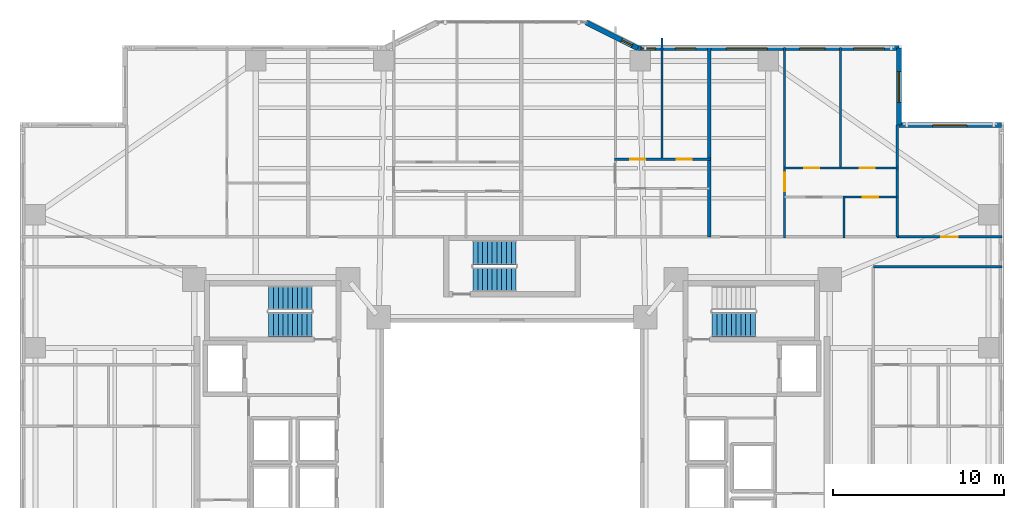
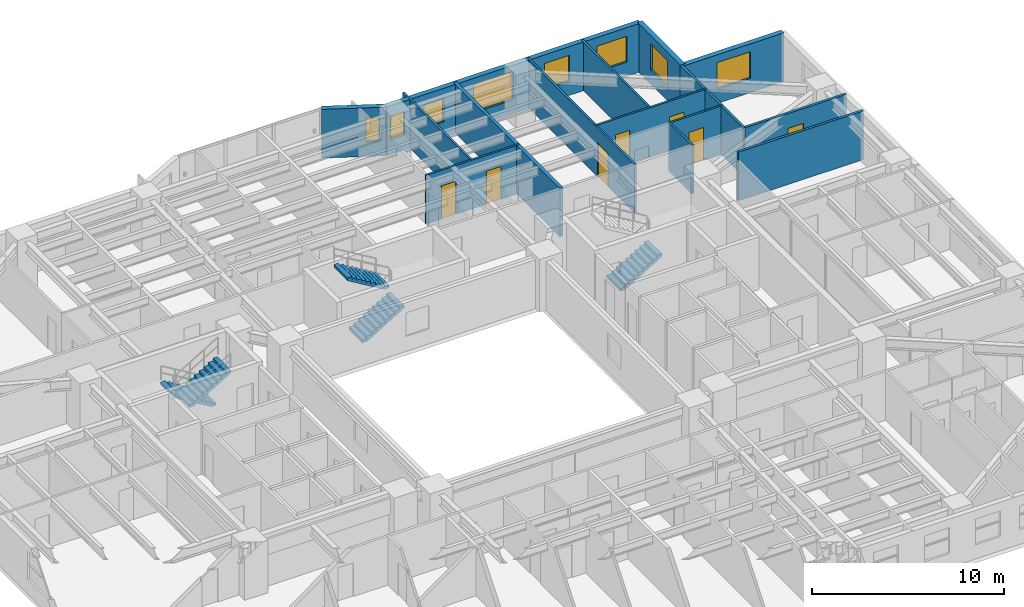
# One storey, part 16 of 22: 15 walls, 8 windows, 7 doors, 5 stair flights, 15 openings, 3 elements without a shape of their own.
"""IFC4 building model written with IfcOpenShell, lengths in metres."""

from ifc_helpers import new_model, si_unit, direction, frame, frame_2d, origin, place, context, subcontext, project, spatial, polyline, rectangle, outline, extrude, material, layer, layer_set, type_object, element, fill, aggregate, save


model = new_model("IFC4")

# Units and contexts
model_context = context("Model", 3, precision=1e-05, world=origin(), true_north=direction((0.0, 1.0)))
body_context = subcontext(model_context, "Body", "Model", "MODEL_VIEW")
ifc_project = project(units=[si_unit("LENGTHUNIT", "METRE"), si_unit("AREAUNIT", "SQUARE_METRE"), si_unit("VOLUMEUNIT", "CUBIC_METRE"), si_unit("PLANEANGLEUNIT", "RADIAN"), si_unit("MASSUNIT", "GRAM", prefix="KILO")], contexts=[model_context])

# Site, building, storey
site_placement = place(None, origin())
site = spatial("IfcSite", under=ifc_project, at=site_placement, CompositionType="ELEMENT")
building_placement = place(site_placement, origin())
building = spatial("IfcBuilding", under=site, at=building_placement, Name="Tarnavaz Court Tower", CompositionType="ELEMENT")
storey_placement = place(building_placement, frame((0.0, 0.0, 57.5)))
storey = spatial("IfcBuildingStorey", under=building, at=storey_placement, Name="L15", CompositionType="ELEMENT", Elevation=57.5)

# Wall, opening, window
ifc_material_1 = material(Name="Precast Concrete C40/50", Category="concrete")
ifc_layer_1 = layer(ifc_material_1, 0.300048828125)
ifc_layer_set_1 = layer_set([ifc_layer_1], Name="Precast Concrete C40/50")
wall_type_1 = type_object("IfcWallType", Name="WL-EXT-300", PredefinedType="SOLIDWALL", material=ifc_layer_set_1)
wall_1_placement = place(storey_placement, frame((4.35009765625, 25.050048828125, 0.0), z_axis=(0.0, 0.0, 1.0), x_axis=(0.894427191, -0.4472135955, 0.0)))
wall_1 = element("IfcWall", 1, at=wall_1_placement, inside=storey, type_object=wall_type_1, Name="L15 Exterior Terracotta Facade Wall 08", PredefinedType="SOLIDWALL", context=body_context, shape_type="SweptSolid", body=[
    extrude(rectangle(XDim=3.35400390625, YDim=0.300048828125, at=frame_2d((1.677001953125, 0.0))), origin(), (0.0, 0.0, 1.0), 3.10009765625),
])
opening_1_placement = place(wall_1_placement, frame((2.308349609375, 0.0, 0.949951171875)))
opening_1 = element("IfcOpeningElement", 2, at=opening_1_placement, cuts=wall_1, Name="Opening W16", PredefinedType="OPENING", context=body_context, shape_type="SweptSolid", body=[
    extrude(rectangle(XDim=0.699951171875, YDim=1.5, at=frame_2d((0.35009765625, 0.75))), frame((0.0, 0.159912109375, 0.0), z_axis=(0.0, -1.0, 0.0), x_axis=(1.0, 0.0, 0.0)), (0.0, 0.0, 1.0), 0.320068359375),
])
ifc_material_2 = material(Name="Double-Glazed Solar Low-E Glass", Category="glass")
window_type_1 = type_object("IfcWindowType", Name="WN-APT-700", PartitioningType="SINGLE_PANEL", PredefinedType="WINDOW", material=ifc_material_2)
window_1_placement = place(opening_1_placement, origin())
window_1 = element("IfcWindow", 3, at=window_1_placement, inside=storey, type_object=window_type_1, Name="L15 Flat 03 Principal Bedroom Window", OverallHeight=1.5, OverallWidth=0.699951171875, PartitioningType="SINGLE_PANEL", PredefinedType="WINDOW", context=body_context, shape_type="SweptSolid", body=[
    extrude(rectangle(XDim=0.699951171875, YDim=1.5, at=frame_2d((0.35009765625, 0.75))), frame((0.0, 0.030029296875, 0.0), z_axis=(0.0, -1.0, 0.0), x_axis=(1.0, 0.0, 0.0)), (0.0, 0.0, 1.0), 0.06005859375),
])
fill(opening_1, window_1)

# Wall, openings, windows
wall_2_placement = place(storey_placement, frame((7.35009765625, 23.550048828125, 0.0), z_axis=(0.0, 0.0, 1.0), x_axis=(1.0, 0.0, 0.0)))
wall_2 = element("IfcWall", 4, at=wall_2_placement, inside=storey, type_object=wall_type_1, Name="L15 Exterior Terracotta Facade Wall 09", PredefinedType="SOLIDWALL", context=body_context, shape_type="SweptSolid", body=[
    extrude(rectangle(XDim=15.2998046875, YDim=0.300048828125, at=frame_2d((7.64990234375, 0.0))), origin(), (0.0, 0.0, 1.0), 3.10009765625),
])
opening_2_placement = place(wall_2_placement, frame((0.205078125, 0.0, 0.949951171875)))
opening_2 = element("IfcOpeningElement", 5, at=opening_2_placement, cuts=wall_2, Name="Opening W15", PredefinedType="OPENING", context=body_context, shape_type="SweptSolid", body=[
    extrude(rectangle(XDim=0.85009765625, YDim=1.5, at=frame_2d((0.425048828125, 0.75))), frame((0.0, 0.159912109375, 0.0), z_axis=(0.0, -1.0, 0.0), x_axis=(1.0, 0.0, 0.0)), (0.0, 0.0, 1.0), 0.320068359375),
])
opening_3_placement = place(wall_2_placement, frame((2.209228515625, 0.0, 0.949951171875)))
opening_3 = element("IfcOpeningElement", 6, at=opening_3_placement, cuts=wall_2, Name="Opening W05", PredefinedType="OPENING", context=body_context, shape_type="SweptSolid", body=[
    extrude(rectangle(XDim=1.199951171875, YDim=1.5, at=frame_2d((0.60009765625, 0.75))), frame((0.0, 0.159912109375, 0.0), z_axis=(0.0, -1.0, 0.0), x_axis=(1.0, 0.0, 0.0)), (0.0, 0.0, 1.0), 0.320068359375),
])
opening_4_placement = place(wall_2_placement, frame((5.19580078125, 0.0, 0.89990234375)))
opening_4 = element("IfcOpeningElement", 7, at=opening_4_placement, cuts=wall_2, Name="Opening W06", PredefinedType="OPENING", context=body_context, shape_type="SweptSolid", body=[
    extrude(rectangle(XDim=2.39990234375, YDim=1.800048828125, at=frame_2d((1.199951171875, 0.89990234375))), frame((0.0, 0.159912109375, 0.0), z_axis=(0.0, -1.0, 0.0), x_axis=(1.0, 0.0, 0.0)), (0.0, 0.0, 1.0), 0.320068359375),
])
opening_5_placement = place(wall_2_placement, frame((9.4833984375, 0.0, 0.89990234375)))
opening_5 = element("IfcOpeningElement", 8, at=opening_5_placement, cuts=wall_2, Name="Opening W03", PredefinedType="OPENING", context=body_context, shape_type="SweptSolid", body=[
    extrude(rectangle(XDim=1.5, YDim=1.64990234375, at=frame_2d((0.75, 0.824951171875))), frame((0.0, 0.159912109375, 0.0), z_axis=(0.0, -1.0, 0.0), x_axis=(1.0, 0.0, 0.0)), (0.0, 0.0, 1.0), 0.320068359375),
])
opening_6_placement = place(wall_2_placement, frame((12.644287109375, 0.0, 0.89990234375)))
opening_6 = element("IfcOpeningElement", 9, at=opening_6_placement, cuts=wall_2, Name="Opening W01", PredefinedType="OPENING", context=body_context, shape_type="SweptSolid", body=[
    extrude(rectangle(XDim=1.800048828125, YDim=1.64990234375, at=frame_2d((0.89990234375, 0.824951171875))), frame((0.0, 0.159912109375, 0.0), z_axis=(0.0, -1.0, 0.0), x_axis=(1.0, 0.0, 0.0)), (0.0, 0.0, 1.0), 0.320068359375),
])
window_type_2 = type_object("IfcWindowType", Name="WN-APT-1200", PartitioningType="SINGLE_PANEL", PredefinedType="WINDOW", material=ifc_material_2)
window_2_placement = place(opening_3_placement, origin())
window_2 = element("IfcWindow", 10, at=window_2_placement, inside=storey, type_object=window_type_2, Name="L15 Flat 03 Bedroom 2 Window", OverallHeight=1.5, OverallWidth=1.199951171875, PartitioningType="SINGLE_PANEL", PredefinedType="WINDOW", context=body_context, shape_type="SweptSolid", body=[
    extrude(rectangle(XDim=1.199951171875, YDim=1.5, at=frame_2d((0.60009765625, 0.75))), frame((0.0, 0.030029296875, 0.0), z_axis=(0.0, -1.0, 0.0), x_axis=(1.0, 0.0, 0.0)), (0.0, 0.0, 1.0), 0.06005859375),
])
fill(opening_3, window_2)
window_type_3 = type_object("IfcWindowType", Name="WN-APT-1500", PartitioningType="DOUBLE_PANEL_VERTICAL", PredefinedType="WINDOW", material=ifc_material_2)
window_3_placement = place(opening_5_placement, origin())
window_3 = element("IfcWindow", 11, at=window_3_placement, inside=storey, type_object=window_type_3, Name="L15 Flat 04 Principal Bedroom Window", OverallHeight=1.64990234375, OverallWidth=1.5, PartitioningType="SINGLE_PANEL", PredefinedType="WINDOW", context=body_context, shape_type="SweptSolid", body=[
    extrude(rectangle(XDim=1.5, YDim=1.64990234375, at=frame_2d((0.75, 0.824951171875))), frame((0.0, 0.030029296875, 0.0), z_axis=(0.0, -1.0, 0.0), x_axis=(1.0, 0.0, 0.0)), (0.0, 0.0, 1.0), 0.06005859375),
])
fill(opening_5, window_3)
window_type_4 = type_object("IfcWindowType", Name="WN-APT-1800", PartitioningType="DOUBLE_PANEL_VERTICAL", PredefinedType="WINDOW", material=ifc_material_2)
window_4_placement = place(opening_6_placement, origin())
window_4 = element("IfcWindow", 12, at=window_4_placement, inside=storey, type_object=window_type_4, Name="L15 Flat 04 Bedroom 2 Window", OverallHeight=1.64990234375, OverallWidth=1.800048828125, PartitioningType="SINGLE_PANEL", PredefinedType="WINDOW", context=body_context, shape_type="SweptSolid", body=[
    extrude(rectangle(XDim=1.800048828125, YDim=1.64990234375, at=frame_2d((0.89990234375, 0.824951171875))), frame((0.0, 0.030029296875, 0.0), z_axis=(0.0, -1.0, 0.0), x_axis=(1.0, 0.0, 0.0)), (0.0, 0.0, 1.0), 0.06005859375),
])
fill(opening_6, window_4)
window_type_5 = type_object("IfcWindowType", Name="WN-APT-2400", PartitioningType="TRIPLE_PANEL_VERTICAL", PredefinedType="WINDOW", material=ifc_material_2)
window_5_placement = place(opening_4_placement, origin())
window_5 = element("IfcWindow", 13, at=window_5_placement, inside=storey, type_object=window_type_5, Name="L15 Flat 04 Living and Dining Room Window", OverallHeight=1.800048828125, OverallWidth=2.39990234375, PartitioningType="SINGLE_PANEL", PredefinedType="WINDOW", context=body_context, shape_type="SweptSolid", body=[
    extrude(rectangle(XDim=2.39990234375, YDim=1.800048828125, at=frame_2d((1.199951171875, 0.89990234375))), frame((0.0, 0.030029296875, 0.0), z_axis=(0.0, -1.0, 0.0), x_axis=(1.0, 0.0, 0.0)), (0.0, 0.0, 1.0), 0.06005859375),
])
fill(opening_4, window_5)
window_type_6 = type_object("IfcWindowType", Name="WN-APT-850", PartitioningType="SINGLE_PANEL", PredefinedType="WINDOW", material=ifc_material_2)
window_6_placement = place(opening_2_placement, origin())
window_6 = element("IfcWindow", 14, at=window_6_placement, inside=storey, type_object=window_type_6, Name="L15 Flat 03 Principal Bedroom Window", OverallHeight=1.5, OverallWidth=0.85009765625, PartitioningType="SINGLE_PANEL", PredefinedType="WINDOW", context=body_context, shape_type="SweptSolid", body=[
    extrude(rectangle(XDim=0.85009765625, YDim=1.5, at=frame_2d((0.425048828125, 0.75))), frame((0.0, 0.030029296875, 0.0), z_axis=(0.0, -1.0, 0.0), x_axis=(1.0, 0.0, 0.0)), (0.0, 0.0, 1.0), 0.06005859375),
])
fill(opening_2, window_6)

# Wall, opening, window
wall_3_placement = place(storey_placement, frame((22.64990234375, 23.550048828125, 0.0), z_axis=(0.0, 0.0, 1.0), x_axis=(0.0, -1.0, 0.0)))
wall_3 = element("IfcWall", 15, at=wall_3_placement, inside=storey, type_object=wall_type_1, Name="L15 Exterior Terracotta Facade Wall 10", PredefinedType="SOLIDWALL", context=body_context, shape_type="SweptSolid", body=[
    extrude(rectangle(XDim=4.5, YDim=0.300048828125, at=frame_2d((2.25, 0.0))), origin(), (0.0, 0.0, 1.0), 3.10009765625),
])
opening_7_placement = place(wall_3_placement, frame((1.367431640625, 0.0, 0.89990234375)))
opening_7 = element("IfcOpeningElement", 16, at=opening_7_placement, cuts=wall_3, Name="Opening W01", PredefinedType="OPENING", context=body_context, shape_type="SweptSolid", body=[
    extrude(rectangle(XDim=1.800048828125, YDim=1.64990234375, at=frame_2d((0.89990234375, 0.824951171875))), frame((0.0, 0.159912109375, 0.0), z_axis=(0.0, -1.0, 0.0), x_axis=(1.0, 0.0, 0.0)), (0.0, 0.0, 1.0), 0.320068359375),
])
window_7_placement = place(opening_7_placement, origin())
window_7 = element("IfcWindow", 17, at=window_7_placement, inside=storey, type_object=window_type_4, Name="L15 Flat 04 Bedroom 2 Window", OverallHeight=1.64990234375, OverallWidth=1.800048828125, PartitioningType="SINGLE_PANEL", PredefinedType="WINDOW", context=body_context, shape_type="SweptSolid", body=[
    extrude(rectangle(XDim=1.800048828125, YDim=1.64990234375, at=frame_2d((0.89990234375, 0.824951171875))), frame((0.0, 0.030029296875, 0.0), z_axis=(0.0, -1.0, 0.0), x_axis=(1.0, 0.0, 0.0)), (0.0, 0.0, 1.0), 0.06005859375),
])
fill(opening_7, window_7)

wall_4_placement = place(storey_placement, frame((22.64990234375, 19.050048828125, 0.0), z_axis=(0.0, 0.0, 1.0), x_axis=(1.0, 0.0, 0.0)))
wall_4 = element("IfcWall", 18, at=wall_4_placement, inside=storey, type_object=wall_type_1, Name="L15 Exterior Terracotta Facade Wall 11", PredefinedType="SOLIDWALL", context=body_context, shape_type="SweptSolid", body=[
    extrude(rectangle(XDim=6.0, YDim=0.300048828125, at=frame_2d((3.0, 0.0))), origin(), (0.0, 0.0, 1.0), 3.10009765625),
])
opening_8_placement = place(wall_4_placement, frame((1.97509765625, 0.0, 0.89990234375)))
opening_8 = element("IfcOpeningElement", 19, at=opening_8_placement, cuts=wall_4, Name="Opening W08", PredefinedType="OPENING", context=body_context, shape_type="SweptSolid", body=[
    extrude(rectangle(XDim=2.0, YDim=1.699951171875, at=frame_2d((1.0, 0.85009765625))), frame((0.0, 0.159912109375, 0.0), z_axis=(0.0, -1.0, 0.0), x_axis=(1.0, 0.0, 0.0)), (0.0, 0.0, 1.0), 0.320068359375),
])
window_type_7 = type_object("IfcWindowType", Name="WN-APT-2000", PartitioningType="DOUBLE_PANEL_VERTICAL", PredefinedType="WINDOW", material=ifc_material_2)
window_8_placement = place(opening_8_placement, origin())
window_8 = element("IfcWindow", 20, at=window_8_placement, inside=storey, type_object=window_type_7, Name="L15 North-East Corner Sunroom Study Window", OverallHeight=1.699951171875, OverallWidth=2.0, PartitioningType="SINGLE_PANEL", PredefinedType="WINDOW", context=body_context, shape_type="SweptSolid", body=[
    extrude(rectangle(XDim=2.0, YDim=1.699951171875, at=frame_2d((1.0, 0.85009765625))), frame((0.0, 0.030029296875, 0.0), z_axis=(0.0, -1.0, 0.0), x_axis=(1.0, 0.0, 0.0)), (0.0, 0.0, 1.0), 0.06005859375),
])
fill(opening_8, window_8)

# Wall
ifc_material_3 = material(Name="Gypsum Fire-Board on Acoustic Metal Stud", Category="masonry")
ifc_layer_2 = layer(ifc_material_3, 0.14990234375)
ifc_layer_set_2 = layer_set([ifc_layer_2], Name="Gypsum Fire-Board on Acoustic Metal Stud")
wall_type_2 = type_object("IfcWallType", Name="WL-FIRE-150", PredefinedType="PARTITIONING", material=ifc_layer_set_2)
wall_5_placement = place(storey_placement, frame((21.14990234375, 10.75, 0.0), z_axis=(0.0, 0.0, 1.0), x_axis=(1.0, 0.0, 0.0)))
element("IfcWall", 21, at=wall_5_placement, inside=storey, type_object=wall_type_2, Name="L15 Interior Partition 147", PredefinedType="PARTITIONING", context=body_context, shape_type="SweptSolid", body=[
    extrude(rectangle(XDim=7.530029296875, YDim=0.14990234375, at=frame_2d((3.76513671875, 0.0))), origin(), (0.0, 0.0, 1.0), 3.10009765625),
])

# Wall, opening, door
wall_6_placement = place(storey_placement, frame((22.550048828125, 12.5, 0.0), z_axis=(0.0, 0.0, 1.0), x_axis=(1.0, 0.0, 0.0)))
wall_6 = element("IfcWall", 22, at=wall_6_placement, inside=storey, type_object=wall_type_2, Name="L15 Interior Partition 153", PredefinedType="PARTITIONING", context=body_context, shape_type="SweptSolid", body=[
    extrude(rectangle(XDim=6.1298828125, YDim=0.14990234375, at=frame_2d((3.06494140625, 0.0))), origin(), (0.0, 0.0, 1.0), 3.10009765625),
])
opening_9_placement = place(wall_6_placement, frame((2.590087890625, 0.0, 0.0)))
opening_9 = element("IfcOpeningElement", 23, at=opening_9_placement, cuts=wall_6, Name="Opening D13", PredefinedType="OPENING", context=body_context, shape_type="SweptSolid", body=[
    extrude(rectangle(XDim=0.949951171875, YDim=2.14990234375, at=frame_2d((0.47509765625, 1.074951171875))), frame((0.0, 0.0849609375, 0.0), z_axis=(0.0, -1.0, 0.0), x_axis=(1.0, 0.0, 0.0)), (0.0, 0.0, 1.0), 0.169921875),
])
ifc_material_4 = material(Name="Engineered Oak Timber", Category="wood")
door_type_1 = type_object("IfcDoorType", Name="DR-INT-950", OperationType="NOTDEFINED", PredefinedType="DOOR", material=ifc_material_4)
door_1_placement = place(opening_9_placement, origin())
door_1 = element("IfcDoor", 24, at=door_1_placement, inside=storey, type_object=door_type_1, Name="L15 NE Sunroom Door", OperationType="SINGLE_SWING_LEFT", OverallHeight=2.14990234375, OverallWidth=0.949951171875, PredefinedType="DOOR", context=body_context, shape_type="SweptSolid", body=[
    extrude(rectangle(XDim=0.949951171875, YDim=2.14990234375, at=frame_2d((0.47509765625, 1.074951171875))), frame((0.0, 0.02490234375, 0.0), z_axis=(0.0, -1.0, 0.0), x_axis=(1.0, 0.0, 0.0)), (0.0, 0.0, 1.0), 0.050048828125),
])
fill(opening_9, door_1)

# Wall
ifc_material_5 = material(Name="Autoclaved Aerated Concrete Blockwork", Category="masonry")
ifc_layer_3 = layer(ifc_material_5, 0.199951171875)
ifc_layer_set_3 = layer_set([ifc_layer_3], Name="Autoclaved Aerated Concrete Blockwork")
wall_type_3 = type_object("IfcWallType", Name="WL-FIRE-200", PredefinedType="SOLIDWALL", material=ifc_layer_set_3)
wall_7_placement = place(storey_placement, frame((11.550048828125, 12.5, 0.0), z_axis=(0.0, 0.0, 1.0), x_axis=(0.0, 1.0, 0.0)))
element("IfcWall", 25, at=wall_7_placement, inside=storey, type_object=wall_type_3, Name="L15 Party Wall 098", PredefinedType="SOLIDWALL", context=body_context, shape_type="SweptSolid", body=[
    extrude(rectangle(XDim=11.10009765625, YDim=0.199951171875, at=frame_2d((5.550048828125, 0.0))), origin(), (0.0, 0.0, 1.0), 3.10009765625),
])

# Wall, openings, doors
ifc_material_6 = material(Name="Moisture-Resistant Gypsum Board Partition", Category="masonry")
ifc_layer_4 = layer(ifc_material_6, 0.1201171875)
ifc_layer_set_4 = layer_set([ifc_layer_4], Name="Moisture-Resistant Gypsum Board Partition")
wall_type_4 = type_object("IfcWallType", Name="WL-PART-120", PredefinedType="PARTITIONING", material=ifc_layer_set_4)
wall_8_placement = place(storey_placement, frame((5.989990234375, 17.050048828125, 0.0), z_axis=(0.0, 0.0, 1.0), x_axis=(1.0, 0.0, 0.0)))
wall_8 = element("IfcWall", 26, at=wall_8_placement, inside=storey, type_object=wall_type_4, Name="L15 Interior Partition 102", PredefinedType="PARTITIONING", context=body_context, shape_type="SweptSolid", body=[
    extrude(rectangle(XDim=5.6201171875, YDim=0.1201171875, at=frame_2d((2.81005859375, 0.0))), origin(), (0.0, 0.0, 1.0), 3.10009765625),
])
opening_10_placement = place(wall_8_placement, frame((0.919921875, 0.0, 0.0)))
opening_10 = element("IfcOpeningElement", 27, at=opening_10_placement, cuts=wall_8, Name="Opening D14", PredefinedType="OPENING", context=body_context, shape_type="SweptSolid", body=[
    extrude(rectangle(XDim=0.8798828125, YDim=2.10009765625, at=frame_2d((0.43994140625, 1.050048828125))), frame((0.0, 0.070068359375, 0.0), z_axis=(0.0, -1.0, 0.0), x_axis=(1.0, 0.0, 0.0)), (0.0, 0.0, 1.0), 0.14013671875),
])
opening_11_placement = place(wall_8_placement, frame((3.639892578125, 0.0, 0.0)))
opening_11 = element("IfcOpeningElement", 28, at=opening_11_placement, cuts=wall_8, Name="Opening D14", PredefinedType="OPENING", context=body_context, shape_type="SweptSolid", body=[
    extrude(rectangle(XDim=0.8798828125, YDim=2.10009765625, at=frame_2d((0.43994140625, 1.050048828125))), frame((0.0, 0.070068359375, 0.0), z_axis=(0.0, -1.0, 0.0), x_axis=(1.0, 0.0, 0.0)), (0.0, 0.0, 1.0), 0.14013671875),
])
door_type_2 = type_object("IfcDoorType", Name="DR-INT-900", OperationType="NOTDEFINED", PredefinedType="DOOR", material=ifc_material_4)
door_2_placement = place(opening_10_placement, origin())
door_2 = element("IfcDoor", 29, at=door_2_placement, inside=storey, type_object=door_type_2, Name="L15 Flat 03 Bedroom 1 Door", OperationType="SINGLE_SWING_RIGHT", OverallHeight=2.10009765625, OverallWidth=0.8798828125, PredefinedType="DOOR", context=body_context, shape_type="SweptSolid", body=[
    extrude(rectangle(XDim=0.8798828125, YDim=2.10009765625, at=frame_2d((0.43994140625, 1.050048828125))), frame((0.0, 0.02490234375, 0.0), z_axis=(0.0, -1.0, 0.0), x_axis=(1.0, 0.0, 0.0)), (0.0, 0.0, 1.0), 0.050048828125),
])
fill(opening_10, door_2)
door_3_placement = place(opening_11_placement, origin())
door_3 = element("IfcDoor", 30, at=door_3_placement, inside=storey, type_object=door_type_2, Name="L15 Flat 03 Bedroom 2 Door", OperationType="SINGLE_SWING_LEFT", OverallHeight=2.10009765625, OverallWidth=0.8798828125, PredefinedType="DOOR", context=body_context, shape_type="SweptSolid", body=[
    extrude(rectangle(XDim=0.8798828125, YDim=2.10009765625, at=frame_2d((0.43994140625, 1.050048828125))), frame((0.0, 0.02490234375, 0.0), z_axis=(0.0, -1.0, 0.0), x_axis=(1.0, 0.0, 0.0)), (0.0, 0.0, 1.0), 0.050048828125),
])
fill(opening_11, door_3)

# Wall
wall_9_placement = place(storey_placement, frame((8.77001953125, 16.989990234375, 0.0), z_axis=(0.0, 0.0, 1.0), x_axis=(0.0, 1.0, 0.0)))
element("IfcWall", 31, at=wall_9_placement, inside=storey, type_object=wall_type_4, Name="L15 Interior Partition 104", PredefinedType="PARTITIONING", context=body_context, shape_type="SweptSolid", body=[
    extrude(rectangle(XDim=7.159912109375, YDim=0.1201171875, at=frame_2d((3.580078125, 0.0))), origin(), (0.0, 0.0, 1.0), 3.10009765625),
])

# Wall, opening, door
wall_10_placement = place(storey_placement, frame((15.9619140625, 12.43994140625, 0.0), z_axis=(0.0, 0.0, 1.0), x_axis=(0.0, 1.0, 0.0)))
wall_10 = element("IfcWall", 32, at=wall_10_placement, inside=storey, type_object=wall_type_4, Name="L15 Interior Partition 105", PredefinedType="PARTITIONING", context=body_context, shape_type="SweptSolid", body=[
    extrude(rectangle(XDim=11.16015625, YDim=0.1201171875, at=frame_2d((5.580078125, 0.0))), origin(), (0.0, 0.0, 1.0), 3.10009765625),
])
opening_12_placement = place(wall_10_placement, frame((2.735107421875, 0.0, 0.0)))
opening_12 = element("IfcOpeningElement", 33, at=opening_12_placement, cuts=wall_10, Name="Opening D12", PredefinedType="OPENING", context=body_context, shape_type="SweptSolid", body=[
    extrude(rectangle(XDim=1.080078125, YDim=2.14990234375, at=frame_2d((0.5400390625, 1.074951171875))), frame((0.0, 0.070068359375, 0.0), z_axis=(0.0, -1.0, 0.0), x_axis=(1.0, 0.0, 0.0)), (0.0, 0.0, 1.0), 0.14013671875),
])
door_type_3 = type_object("IfcDoorType", Name="DR-INT-1100", OperationType="NOTDEFINED", PredefinedType="DOOR", material=ifc_material_4)
door_4_placement = place(opening_12_placement, origin())
door_4 = element("IfcDoor", 34, at=door_4_placement, inside=storey, type_object=door_type_3, Name="L15 Flat 04 Foyer Door", OperationType="SINGLE_SWING_LEFT", OverallHeight=2.14990234375, OverallWidth=1.080078125, PredefinedType="DOOR", context=body_context, shape_type="SweptSolid", body=[
    extrude(rectangle(XDim=1.080078125, YDim=2.14990234375, at=frame_2d((0.5400390625, 1.074951171875))), frame((0.0, 0.02490234375, 0.0), z_axis=(0.0, -1.0, 0.0), x_axis=(1.0, 0.0, 0.0)), (0.0, 0.0, 1.0), 0.050048828125),
])
fill(opening_12, door_4)

wall_11_placement = place(storey_placement, frame((19.422119140625, 14.830078125, 0.0), z_axis=(0.0, 0.0, 1.0), x_axis=(1.0, 0.0, 0.0)))
wall_11 = element("IfcWall", 35, at=wall_11_placement, inside=storey, type_object=wall_type_4, Name="L15 Interior Partition 107", PredefinedType="PARTITIONING", context=body_context, shape_type="SweptSolid", body=[
    extrude(rectangle(XDim=3.1279296875, YDim=0.1201171875, at=frame_2d((1.56396484375, 0.0))), origin(), (0.0, 0.0, 1.0), 3.10009765625),
])
opening_13_placement = place(wall_11_placement, frame((1.1240234375, 0.0, 0.0)))
opening_13 = element("IfcOpeningElement", 36, at=opening_13_placement, cuts=wall_11, Name="Opening D14", PredefinedType="OPENING", context=body_context, shape_type="SweptSolid", body=[
    extrude(rectangle(XDim=0.8798828125, YDim=2.10009765625, at=frame_2d((0.43994140625, 1.050048828125))), frame((0.0, 0.070068359375, 0.0), z_axis=(0.0, -1.0, 0.0), x_axis=(1.0, 0.0, 0.0)), (0.0, 0.0, 1.0), 0.14013671875),
])
door_5_placement = place(opening_13_placement, origin())
door_5 = element("IfcDoor", 37, at=door_5_placement, inside=storey, type_object=door_type_2, Name="L15 Flat 04 Bathroom Door", OperationType="SINGLE_SWING_LEFT", OverallHeight=2.10009765625, OverallWidth=0.8798828125, PredefinedType="DOOR", context=body_context, shape_type="SweptSolid", body=[
    extrude(rectangle(XDim=0.8798828125, YDim=2.10009765625, at=frame_2d((0.43994140625, 1.050048828125))), frame((0.0, 0.02490234375, 0.0), z_axis=(0.0, -1.0, 0.0), x_axis=(1.0, 0.0, 0.0)), (0.0, 0.0, 1.0), 0.050048828125),
])
fill(opening_13, door_5)

# Wall, openings, doors
wall_12_placement = place(storey_placement, frame((15.902099609375, 16.5400390625, 0.0), z_axis=(0.0, 0.0, 1.0), x_axis=(1.0, 0.0, 0.0)))
wall_12 = element("IfcWall", 38, at=wall_12_placement, inside=storey, type_object=wall_type_4, Name="L15 Interior Partition 108", PredefinedType="PARTITIONING", context=body_context, shape_type="SweptSolid", body=[
    extrude(rectangle(XDim=6.7080078125, YDim=0.1201171875, at=frame_2d((3.35400390625, 0.0))), origin(), (0.0, 0.0, 1.0), 3.10009765625),
])
opening_14_placement = place(wall_12_placement, frame((1.19189453125, 0.0, 0.0)))
opening_14 = element("IfcOpeningElement", 39, at=opening_14_placement, cuts=wall_12, Name="Opening D14", PredefinedType="OPENING", context=body_context, shape_type="SweptSolid", body=[
    extrude(rectangle(XDim=0.8798828125, YDim=2.10009765625, at=frame_2d((0.43994140625, 1.050048828125))), frame((0.0, 0.070068359375, 0.0), z_axis=(0.0, -1.0, 0.0), x_axis=(1.0, 0.0, 0.0)), (0.0, 0.0, 1.0), 0.14013671875),
])
opening_15_placement = place(wall_12_placement, frame((4.4560546875, 0.0, 0.0)))
opening_15 = element("IfcOpeningElement", 40, at=opening_15_placement, cuts=wall_12, Name="Opening D14", PredefinedType="OPENING", context=body_context, shape_type="SweptSolid", body=[
    extrude(rectangle(XDim=0.8798828125, YDim=2.10009765625, at=frame_2d((0.43994140625, 1.050048828125))), frame((0.0, 0.070068359375, 0.0), z_axis=(0.0, -1.0, 0.0), x_axis=(1.0, 0.0, 0.0)), (0.0, 0.0, 1.0), 0.14013671875),
])
door_6_placement = place(opening_14_placement, origin())
door_6 = element("IfcDoor", 41, at=door_6_placement, inside=storey, type_object=door_type_2, Name="L15 Flat 04 Bedroom 1 Door", OperationType="SINGLE_SWING_RIGHT", OverallHeight=2.10009765625, OverallWidth=0.8798828125, PredefinedType="DOOR", context=body_context, shape_type="SweptSolid", body=[
    extrude(rectangle(XDim=0.8798828125, YDim=2.10009765625, at=frame_2d((0.43994140625, 1.050048828125))), frame((0.0, 0.02490234375, 0.0), z_axis=(0.0, -1.0, 0.0), x_axis=(1.0, 0.0, 0.0)), (0.0, 0.0, 1.0), 0.050048828125),
])
fill(opening_14, door_6)
door_7_placement = place(opening_15_placement, origin())
door_7 = element("IfcDoor", 42, at=door_7_placement, inside=storey, type_object=door_type_2, Name="L15 Flat 04 Bedroom 2 Door", OperationType="SINGLE_SWING_LEFT", OverallHeight=2.10009765625, OverallWidth=0.8798828125, PredefinedType="DOOR", context=body_context, shape_type="SweptSolid", body=[
    extrude(rectangle(XDim=0.8798828125, YDim=2.10009765625, at=frame_2d((0.43994140625, 1.050048828125))), frame((0.0, 0.02490234375, 0.0), z_axis=(0.0, -1.0, 0.0), x_axis=(1.0, 0.0, 0.0)), (0.0, 0.0, 1.0), 0.050048828125),
])
fill(opening_15, door_7)

# Walls
wall_13_placement = place(storey_placement, frame((19.422119140625, 12.43994140625, 0.0), z_axis=(0.0, 0.0, 1.0), x_axis=(0.0, 1.0, 0.0)))
element("IfcWall", 43, at=wall_13_placement, inside=storey, type_object=wall_type_4, Name="L15 Interior Partition 109", PredefinedType="PARTITIONING", context=body_context, shape_type="SweptSolid", body=[
    extrude(rectangle(XDim=2.449951171875, YDim=0.1201171875, at=frame_2d((1.22509765625, 0.0))), origin(), (0.0, 0.0, 1.0), 3.10009765625),
])
wall_14_placement = place(storey_placement, frame((19.22607421875, 16.47998046875, 0.0), z_axis=(0.0, 0.0, 1.0), x_axis=(0.0, 1.0, 0.0)))
element("IfcWall", 44, at=wall_14_placement, inside=storey, type_object=wall_type_4, Name="L15 Interior Partition 110", PredefinedType="PARTITIONING", context=body_context, shape_type="SweptSolid", body=[
    extrude(rectangle(XDim=7.1201171875, YDim=0.1201171875, at=frame_2d((3.56005859375, 0.0))), origin(), (0.0, 0.0, 1.0), 3.10009765625),
])
ifc_material_7 = material(Name="Gypsum Plasterboard Acoustic Partition", Category="masonry")
ifc_layer_5 = layer(ifc_material_7, 0.139892578125)
ifc_layer_set_5 = layer_set([ifc_layer_5], Name="Gypsum Plasterboard Acoustic Partition")
wall_type_5 = type_object("IfcWallType", Name="WL-PART-150", PredefinedType="PARTITIONING", material=ifc_layer_set_5)
wall_15_placement = place(storey_placement, frame((22.550048828125, 12.5, 0.0), z_axis=(0.0, 0.0, 1.0), x_axis=(0.0, 1.0, 0.0)))
element("IfcWall", 45, at=wall_15_placement, inside=storey, type_object=wall_type_5, Name="L15 Interior Partition 151", PredefinedType="PARTITIONING", context=body_context, shape_type="SweptSolid", body=[
    extrude(rectangle(XDim=6.550048828125, YDim=0.139892578125, at=frame_2d((3.27490234375, 0.0))), origin(), (0.0, 0.0, 1.0), 3.10009765625),
])

# Stair, stair flights
ifc_material_8 = material(Name="Concrete C40/50", Category="concrete")
stair_type = type_object("IfcStairType", Name="ST-TWR-20R", PredefinedType="HALF_TURN_STAIR", material=ifc_material_8)
stair_1_placement = place(storey_placement, origin())
stair_1 = element("IfcStair", 46, at=stair_1_placement, inside=storey, type_object=stair_type, Name="L15 West Core Pressurized Exit Stair ST-W1", PredefinedType="HALF_TURN_STAIR")
stair_flight_type = type_object("IfcStairFlightType", Name="SFL-RC-20R", PredefinedType="STRAIGHT", material=ifc_material_8)
stair_flight_1_placement = place(storey_placement, frame((-11.719970703125, 8.929931640625, 0.0), z_axis=(0.0, 0.0, 1.0), x_axis=(-1.0, 0.0, 0.0)))
stair_flight_1 = element("IfcStairFlight", 47, at=stair_flight_1_placement, type_object=stair_flight_type, Name="ST-W1 flight 1", NumberOfRisers=10, NumberOfTreads=9, PredefinedType="STRAIGHT", RiserHeight=0.1675, TreadLength=0.28, context=body_context, shape_type="SweptSolid", body=[
    extrude(outline(polyline([(0.0, 0.0), (0.0, 0.16748046875), (0.280029296875, 0.16748046875), (0.280029296875, 0.3349609375), (0.56005859375, 0.3349609375), (0.56005859375, 0.50244140625), (0.840087890625, 0.50244140625), (0.840087890625, 0.669921875), (1.1201171875, 0.669921875), (1.1201171875, 0.83740234375), (1.39990234375, 0.83740234375), (1.39990234375, 1.0048828125), (1.679931640625, 1.0048828125), (1.679931640625, 1.172607421875), (1.9599609375, 1.172607421875), (1.9599609375, 1.340087890625), (2.239990234375, 1.340087890625), (2.239990234375, 1.507568359375), (2.52001953125, 1.507568359375), (2.52001953125, 1.675048828125), (2.52001953125, 1.332763671875), (0.2919921875, 0.0), (0.0, 0.0)])), frame((0.0, 0.7099609375, 0.0), z_axis=(0.0, -1.0, 0.0), x_axis=(1.0, 0.0, 0.0)), (0.0, 0.0, 1.0), 1.419921875),
])
stair_flight_2_placement = place(storey_placement, frame((-14.239990234375, 7.360107421875, 1.675048828125), z_axis=(0.0, 0.0, 1.0), x_axis=(1.0, 0.0, 0.0)))
stair_flight_2 = element("IfcStairFlight", 48, at=stair_flight_2_placement, type_object=stair_flight_type, Name="ST-W1 flight 2", NumberOfRisers=10, NumberOfTreads=9, PredefinedType="STRAIGHT", RiserHeight=0.1675, TreadLength=0.28, context=body_context, shape_type="SweptSolid", body=[
    extrude(outline(polyline([(0.0, 0.0), (0.0, 0.16748046875), (0.280029296875, 0.16748046875), (0.280029296875, 0.3349609375), (0.56005859375, 0.3349609375), (0.56005859375, 0.50244140625), (0.840087890625, 0.50244140625), (0.840087890625, 0.669921875), (1.1201171875, 0.669921875), (1.1201171875, 0.83740234375), (1.39990234375, 0.83740234375), (1.39990234375, 1.0048828125), (1.679931640625, 1.0048828125), (1.679931640625, 1.172607421875), (1.9599609375, 1.172607421875), (1.9599609375, 1.340087890625), (2.239990234375, 1.340087890625), (2.239990234375, 1.507568359375), (2.52001953125, 1.507568359375), (2.52001953125, 1.675048828125), (2.52001953125, 1.332763671875), (0.2919921875, 0.0), (0.0, 0.0)])), frame((0.0, 0.7099609375, 0.0), z_axis=(0.0, -1.0, 0.0), x_axis=(1.0, 0.0, 0.0)), (0.0, 0.0, 1.0), 1.419921875),
])
aggregate(stair_1, [stair_flight_1, stair_flight_2])

# Stair, stair flight
stair_2_placement = place(storey_placement, origin())
stair_2 = element("IfcStair", 49, at=stair_2_placement, inside=storey, type_object=stair_type, Name="L15 East Core Pressurized Exit Stair ST-E1", PredefinedType="HALF_TURN_STAIR")
stair_flight_3_placement = place(storey_placement, frame((11.719970703125, 7.360107421875, 0.0), z_axis=(0.0, 0.0, 1.0), x_axis=(1.0, 0.0, 0.0)))
stair_flight_3 = element("IfcStairFlight", 50, at=stair_flight_3_placement, type_object=stair_flight_type, Name="ST-E1 flight 1", NumberOfRisers=10, NumberOfTreads=9, PredefinedType="STRAIGHT", RiserHeight=0.1675, TreadLength=0.28, context=body_context, shape_type="SweptSolid", body=[
    extrude(outline(polyline([(0.0, 0.0), (0.0, 0.16748046875), (0.280029296875, 0.16748046875), (0.280029296875, 0.3349609375), (0.56005859375, 0.3349609375), (0.56005859375, 0.50244140625), (0.840087890625, 0.50244140625), (0.840087890625, 0.669921875), (1.1201171875, 0.669921875), (1.1201171875, 0.83740234375), (1.39990234375, 0.83740234375), (1.39990234375, 1.0048828125), (1.679931640625, 1.0048828125), (1.679931640625, 1.172607421875), (1.9599609375, 1.172607421875), (1.9599609375, 1.340087890625), (2.239990234375, 1.340087890625), (2.239990234375, 1.507568359375), (2.52001953125, 1.507568359375), (2.52001953125, 1.675048828125), (2.52001953125, 1.332763671875), (0.2919921875, 0.0), (0.0, 0.0)])), frame((0.0, 0.7099609375, 0.0), z_axis=(0.0, -1.0, 0.0), x_axis=(1.0, 0.0, 0.0)), (0.0, 0.0, 1.0), 1.419921875),
])
aggregate(stair_2, [stair_flight_3])

# Stair, stair flights
stair_3_placement = place(storey_placement, origin())
stair_3 = element("IfcStair", 51, at=stair_3_placement, inside=storey, type_object=stair_type, Name="L15 North Ring Pressurized Exit Stair ST-N1", PredefinedType="HALF_TURN_STAIR")
stair_flight_4_placement = place(storey_placement, frame((-2.280029296875, 10.010009765625, 0.0), z_axis=(0.0, 0.0, 1.0), x_axis=(1.0, 0.0, 0.0)))
stair_flight_4 = element("IfcStairFlight", 52, at=stair_flight_4_placement, type_object=stair_flight_type, Name="ST-N1 flight 1", NumberOfRisers=10, NumberOfTreads=9, PredefinedType="STRAIGHT", RiserHeight=0.1675, TreadLength=0.28, context=body_context, shape_type="SweptSolid", body=[
    extrude(outline(polyline([(0.0, 0.0), (0.0, 0.16748046875), (0.280029296875, 0.16748046875), (0.280029296875, 0.3349609375), (0.56005859375, 0.3349609375), (0.56005859375, 0.50244140625), (0.840087890625, 0.50244140625), (0.840087890625, 0.669921875), (1.1201171875, 0.669921875), (1.1201171875, 0.83740234375), (1.39990234375, 0.83740234375), (1.39990234375, 1.0048828125), (1.679931640625, 1.0048828125), (1.679931640625, 1.172607421875), (1.9599609375, 1.172607421875), (1.9599609375, 1.340087890625), (2.239990234375, 1.340087890625), (2.239990234375, 1.507568359375), (2.52001953125, 1.507568359375), (2.52001953125, 1.675048828125), (2.52001953125, 1.332763671875), (0.2919921875, 0.0), (0.0, 0.0)])), frame((0.0, 0.7099609375, 0.0), z_axis=(0.0, -1.0, 0.0), x_axis=(1.0, 0.0, 0.0)), (0.0, 0.0, 1.0), 1.419921875),
])
stair_flight_5_placement = place(storey_placement, frame((0.239990234375, 11.580078125, 1.675048828125), z_axis=(0.0, 0.0, 1.0), x_axis=(-1.0, 0.0, 0.0)))
stair_flight_5 = element("IfcStairFlight", 53, at=stair_flight_5_placement, type_object=stair_flight_type, Name="ST-N1 flight 2", NumberOfRisers=10, NumberOfTreads=9, PredefinedType="STRAIGHT", RiserHeight=0.1675, TreadLength=0.28, context=body_context, shape_type="SweptSolid", body=[
    extrude(outline(polyline([(0.0, 0.0), (0.0, 0.16748046875), (0.280029296875, 0.16748046875), (0.280029296875, 0.3349609375), (0.56005859375, 0.3349609375), (0.56005859375, 0.50244140625), (0.840087890625, 0.50244140625), (0.840087890625, 0.669921875), (1.1201171875, 0.669921875), (1.1201171875, 0.83740234375), (1.39990234375, 0.83740234375), (1.39990234375, 1.0048828125), (1.679931640625, 1.0048828125), (1.679931640625, 1.172607421875), (1.9599609375, 1.172607421875), (1.9599609375, 1.340087890625), (2.239990234375, 1.340087890625), (2.239990234375, 1.507568359375), (2.52001953125, 1.507568359375), (2.52001953125, 1.675048828125), (2.52001953125, 1.332763671875), (0.2919921875, 0.0), (0.0, 0.0)])), frame((0.0, 0.7099609375, 0.0), z_axis=(0.0, -1.0, 0.0), x_axis=(1.0, 0.0, 0.0)), (0.0, 0.0, 1.0), 1.419921875),
])
aggregate(stair_3, [stair_flight_4, stair_flight_5])

save(model, "model.ifc")
